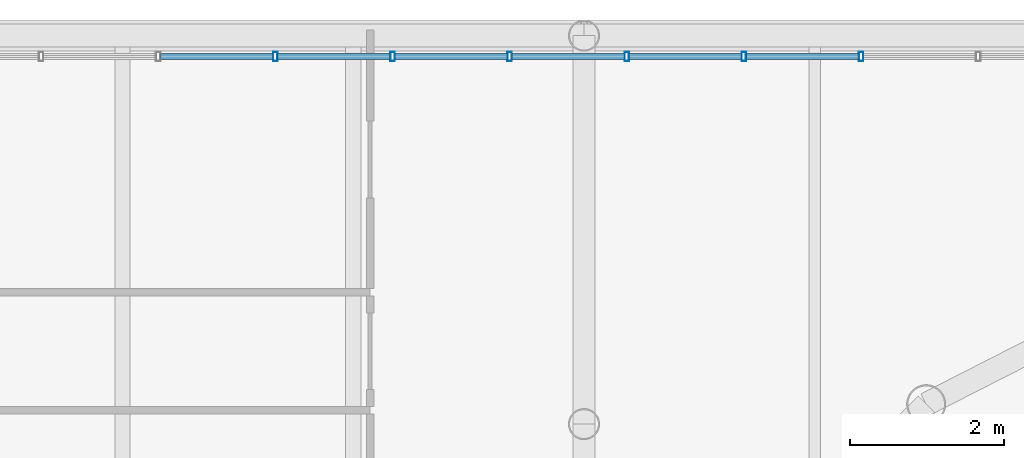
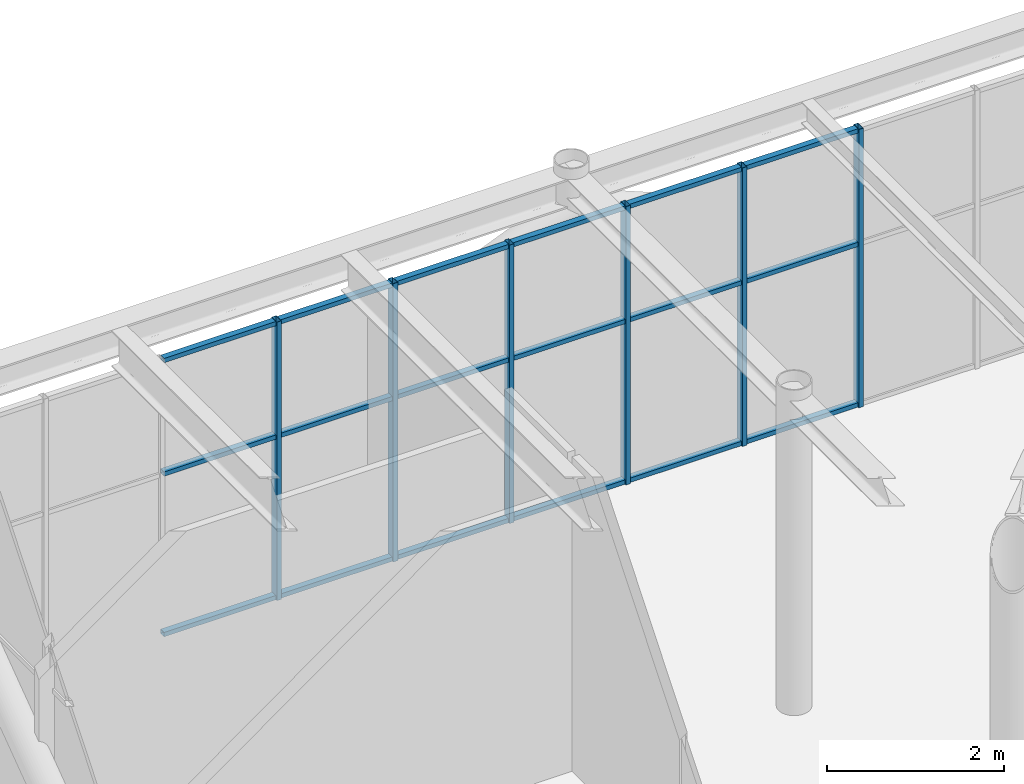
# One storey, part 60 of 149: 24 members, 1 element without a shape of its own.
"""IFC4 building model written with IfcOpenShell, lengths in metres."""

from ifc_helpers import new_model, si_unit, direction, frame, origin, origin_2d, place, context, subcontext, project, spatial, hollow_rectangle, extrude, material, layer, layer_set, material_profile, profile_set, type_object, element, aggregate, save


model = new_model("IFC4")

# Units and contexts
model_context = context("Model", 3, precision=1e-05, world=origin(), true_north=direction((0.0, 1.0)))
body_context = subcontext(model_context, "Body", "Model", "MODEL_VIEW")
ifc_project = project(units=[si_unit("LENGTHUNIT", "METRE"), si_unit("AREAUNIT", "SQUARE_METRE"), si_unit("VOLUMEUNIT", "CUBIC_METRE"), si_unit("PLANEANGLEUNIT", "RADIAN"), si_unit("MASSUNIT", "GRAM", prefix="KILO")], contexts=[model_context])

# Site, building, storey
site_placement = place(None, origin())
site = spatial("IfcSite", under=ifc_project, at=site_placement, CompositionType="ELEMENT")
building_placement = place(site_placement, origin())
building = spatial("IfcBuilding", under=site, at=building_placement, Name="Kallimachos Central Library", CompositionType="ELEMENT")
storey_placement = place(building_placement, frame((0.0, 0.0, 9.89990234375)))
storey = spatial("IfcBuildingStorey", under=building, at=storey_placement, Name="L02", CompositionType="ELEMENT", Elevation=9.89990234375)

# Curtain wall, members
ifc_material_1 = material(Name="Anodised aluminium and laminated glass", Category="aluminium")
ifc_layer = layer(ifc_material_1, 0.159912109375)
ifc_layer_set = layer_set([ifc_layer], Name="Glass box curtain wall")
curtain_wall_type = type_object("IfcCurtainWallType", Name="Glass box curtain wall", PredefinedType="NOTDEFINED", material=ifc_layer_set)
curtain_wall_placement = place(storey_placement, origin())
curtain_wall = element("IfcCurtainWall", 1, at=curtain_wall_placement, inside=storey, type_object=curtain_wall_type, Name="Glass box curtain wall N L02", PredefinedType="NOTDEFINED")
ifc_material_2 = material(Name="Anodised aluminium", Category="aluminium")
ifc_material_profile_1 = material_profile(ifc_material_2, hollow_rectangle(XDim=0.06005859375, YDim=0.1201171875, WallThickness=0.00390625, at=origin_2d()), Name="ALU MULLION 60x120")
ifc_profile_set_1 = profile_set([ifc_material_profile_1], Name="Anodised aluminium")
member_type_1 = type_object("IfcMemberType", Name="Glass box mullion 60x120", PredefinedType="MULLION", material=ifc_profile_set_1)
member_1_placement = place(storey_placement, frame((70.48828125, 121.3798828125, 0.0), z_axis=(0.0, 0.0, 1.0), x_axis=(1.0, 0.0, 0.0)))
member_1 = element("IfcMember", 2, at=member_1_placement, type_object=member_type_1, Name="CW20 mullion 4", PredefinedType="MULLION", context=body_context, shape_type="SweptSolid", body=[
    extrude(hollow_rectangle(XDim=0.06005859375, YDim=0.1201171875, WallThickness=0.00390625, at=origin_2d()), origin(), (0.0, 0.0, 1.0), 3.85009765625),
])
member_2_placement = place(storey_placement, frame((72.010986328125, 121.3798828125, 0.0), z_axis=(0.0, 0.0, 1.0), x_axis=(1.0, 0.0, 0.0)))
member_2 = element("IfcMember", 3, at=member_2_placement, type_object=member_type_1, Name="CW20 mullion 5", PredefinedType="MULLION", context=body_context, shape_type="SweptSolid", body=[
    extrude(hollow_rectangle(XDim=0.06005859375, YDim=0.1201171875, WallThickness=0.00390625, at=origin_2d()), origin(), (0.0, 0.0, 1.0), 3.85009765625),
])
member_3_placement = place(storey_placement, frame((73.53369140625, 121.3798828125, 0.0), z_axis=(0.0, 0.0, 1.0), x_axis=(1.0, 0.0, 0.0)))
member_3 = element("IfcMember", 4, at=member_3_placement, type_object=member_type_1, Name="CW20 mullion 6", PredefinedType="MULLION", context=body_context, shape_type="SweptSolid", body=[
    extrude(hollow_rectangle(XDim=0.06005859375, YDim=0.1201171875, WallThickness=0.00390625, at=origin_2d()), origin(), (0.0, 0.0, 1.0), 3.85009765625),
])
member_4_placement = place(storey_placement, frame((75.056640625, 121.3798828125, 0.0), z_axis=(0.0, 0.0, 1.0), x_axis=(1.0, 0.0, 0.0)))
member_4 = element("IfcMember", 5, at=member_4_placement, type_object=member_type_1, Name="CW20 mullion 7", PredefinedType="MULLION", context=body_context, shape_type="SweptSolid", body=[
    extrude(hollow_rectangle(XDim=0.06005859375, YDim=0.1201171875, WallThickness=0.00390625, at=origin_2d()), origin(), (0.0, 0.0, 1.0), 3.85009765625),
])
member_5_placement = place(storey_placement, frame((76.579345703125, 121.3798828125, 0.0), z_axis=(0.0, 0.0, 1.0), x_axis=(1.0, 0.0, 0.0)))
member_5 = element("IfcMember", 6, at=member_5_placement, type_object=member_type_1, Name="CW20 mullion 8", PredefinedType="MULLION", context=body_context, shape_type="SweptSolid", body=[
    extrude(hollow_rectangle(XDim=0.06005859375, YDim=0.1201171875, WallThickness=0.00390625, at=origin_2d()), origin(), (0.0, 0.0, 1.0), 3.85009765625),
])
member_6_placement = place(storey_placement, frame((78.10205078125, 121.3798828125, 0.0), z_axis=(0.0, 0.0, 1.0), x_axis=(1.0, 0.0, 0.0)))
member_6 = element("IfcMember", 7, at=member_6_placement, type_object=member_type_1, Name="CW20 mullion 9", PredefinedType="MULLION", context=body_context, shape_type="SweptSolid", body=[
    extrude(hollow_rectangle(XDim=0.06005859375, YDim=0.1201171875, WallThickness=0.00390625, at=origin_2d()), origin(), (0.0, 0.0, 1.0), 3.85009765625),
])
ifc_material_3 = material(Name="Anodised aluminium", Category="aluminium")
ifc_material_profile_2 = material_profile(ifc_material_3, hollow_rectangle(XDim=0.06005859375, YDim=0.080078125, WallThickness=0.00390625, at=origin_2d()), Name="ALU TRANSOM 60x80")
ifc_profile_set_2 = profile_set([ifc_material_profile_2], Name="Anodised aluminium")
member_type_2 = type_object("IfcMemberType", Name="Glass box transom 60x80", PredefinedType="USERDEFINED", material=ifc_profile_set_2)
member_7_placement = place(storey_placement, frame((68.99560546875, 121.3798828125, 0.030029296875), z_axis=(1.0, 0.0, 0.0), x_axis=(0.0, 0.0, 1.0)))
member_7 = element("IfcMember", 8, at=member_7_placement, type_object=member_type_2, Name="CW20 transom 3.1", ObjectType="TRANSOM", PredefinedType="USERDEFINED", context=body_context, shape_type="SweptSolid", body=[
    extrude(hollow_rectangle(XDim=0.06005859375, YDim=0.080078125, WallThickness=0.00390625, at=origin_2d()), origin(), (0.0, 0.0, 1.0), 1.462646484375),
])
member_8_placement = place(storey_placement, frame((68.99560546875, 121.3798828125, 2.25), z_axis=(1.0, 0.0, 0.0), x_axis=(0.0, 0.0, 1.0)))
member_8 = element("IfcMember", 9, at=member_8_placement, type_object=member_type_2, Name="CW20 transom 3.2", ObjectType="TRANSOM", PredefinedType="USERDEFINED", context=body_context, shape_type="SweptSolid", body=[
    extrude(hollow_rectangle(XDim=0.06005859375, YDim=0.080078125, WallThickness=0.00390625, at=origin_2d()), origin(), (0.0, 0.0, 1.0), 1.462646484375),
])
member_9_placement = place(storey_placement, frame((68.99560546875, 121.3798828125, 3.820068359375), z_axis=(1.0, 0.0, 0.0), x_axis=(0.0, 0.0, 1.0)))
member_9 = element("IfcMember", 10, at=member_9_placement, type_object=member_type_2, Name="CW20 transom 3.3", ObjectType="TRANSOM", PredefinedType="USERDEFINED", context=body_context, shape_type="SweptSolid", body=[
    extrude(hollow_rectangle(XDim=0.06005859375, YDim=0.080078125, WallThickness=0.00390625, at=origin_2d()), origin(), (0.0, 0.0, 1.0), 1.462646484375),
])
member_10_placement = place(storey_placement, frame((70.518310546875, 121.3798828125, 0.030029296875), z_axis=(1.0, 0.0, 0.0), x_axis=(0.0, 0.0, 1.0)))
member_10 = element("IfcMember", 11, at=member_10_placement, type_object=member_type_2, Name="CW20 transom 4.1", ObjectType="TRANSOM", PredefinedType="USERDEFINED", context=body_context, shape_type="SweptSolid", body=[
    extrude(hollow_rectangle(XDim=0.06005859375, YDim=0.080078125, WallThickness=0.00390625, at=origin_2d()), origin(), (0.0, 0.0, 1.0), 1.462646484375),
])
member_11_placement = place(storey_placement, frame((70.518310546875, 121.3798828125, 2.25), z_axis=(1.0, 0.0, 0.0), x_axis=(0.0, 0.0, 1.0)))
member_11 = element("IfcMember", 12, at=member_11_placement, type_object=member_type_2, Name="CW20 transom 4.2", ObjectType="TRANSOM", PredefinedType="USERDEFINED", context=body_context, shape_type="SweptSolid", body=[
    extrude(hollow_rectangle(XDim=0.06005859375, YDim=0.080078125, WallThickness=0.00390625, at=origin_2d()), origin(), (0.0, 0.0, 1.0), 1.462646484375),
])
member_12_placement = place(storey_placement, frame((70.518310546875, 121.3798828125, 3.820068359375), z_axis=(1.0, 0.0, 0.0), x_axis=(0.0, 0.0, 1.0)))
member_12 = element("IfcMember", 13, at=member_12_placement, type_object=member_type_2, Name="CW20 transom 4.3", ObjectType="TRANSOM", PredefinedType="USERDEFINED", context=body_context, shape_type="SweptSolid", body=[
    extrude(hollow_rectangle(XDim=0.06005859375, YDim=0.080078125, WallThickness=0.00390625, at=origin_2d()), origin(), (0.0, 0.0, 1.0), 1.462646484375),
])
member_13_placement = place(storey_placement, frame((72.041015625, 121.3798828125, 0.030029296875), z_axis=(1.0, 0.0, 0.0), x_axis=(0.0, 0.0, 1.0)))
member_13 = element("IfcMember", 14, at=member_13_placement, type_object=member_type_2, Name="CW20 transom 5.1", ObjectType="TRANSOM", PredefinedType="USERDEFINED", context=body_context, shape_type="SweptSolid", body=[
    extrude(hollow_rectangle(XDim=0.06005859375, YDim=0.080078125, WallThickness=0.00390625, at=origin_2d()), origin(), (0.0, 0.0, 1.0), 1.462890625),
])
member_14_placement = place(storey_placement, frame((72.041015625, 121.3798828125, 2.25), z_axis=(1.0, 0.0, 0.0), x_axis=(0.0, 0.0, 1.0)))
member_14 = element("IfcMember", 15, at=member_14_placement, type_object=member_type_2, Name="CW20 transom 5.2", ObjectType="TRANSOM", PredefinedType="USERDEFINED", context=body_context, shape_type="SweptSolid", body=[
    extrude(hollow_rectangle(XDim=0.06005859375, YDim=0.080078125, WallThickness=0.00390625, at=origin_2d()), origin(), (0.0, 0.0, 1.0), 1.462890625),
])
member_15_placement = place(storey_placement, frame((72.041015625, 121.3798828125, 3.820068359375), z_axis=(1.0, 0.0, 0.0), x_axis=(0.0, 0.0, 1.0)))
member_15 = element("IfcMember", 16, at=member_15_placement, type_object=member_type_2, Name="CW20 transom 5.3", ObjectType="TRANSOM", PredefinedType="USERDEFINED", context=body_context, shape_type="SweptSolid", body=[
    extrude(hollow_rectangle(XDim=0.06005859375, YDim=0.080078125, WallThickness=0.00390625, at=origin_2d()), origin(), (0.0, 0.0, 1.0), 1.462890625),
])
member_16_placement = place(storey_placement, frame((73.563720703125, 121.3798828125, 0.030029296875), z_axis=(1.0, 0.0, 0.0), x_axis=(0.0, 0.0, 1.0)))
member_16 = element("IfcMember", 17, at=member_16_placement, type_object=member_type_2, Name="CW20 transom 6.1", ObjectType="TRANSOM", PredefinedType="USERDEFINED", context=body_context, shape_type="SweptSolid", body=[
    extrude(hollow_rectangle(XDim=0.06005859375, YDim=0.080078125, WallThickness=0.00390625, at=origin_2d()), origin(), (0.0, 0.0, 1.0), 1.462890625),
])
member_17_placement = place(storey_placement, frame((73.563720703125, 121.3798828125, 2.25), z_axis=(1.0, 0.0, 0.0), x_axis=(0.0, 0.0, 1.0)))
member_17 = element("IfcMember", 18, at=member_17_placement, type_object=member_type_2, Name="CW20 transom 6.2", ObjectType="TRANSOM", PredefinedType="USERDEFINED", context=body_context, shape_type="SweptSolid", body=[
    extrude(hollow_rectangle(XDim=0.06005859375, YDim=0.080078125, WallThickness=0.00390625, at=origin_2d()), origin(), (0.0, 0.0, 1.0), 1.462890625),
])
member_18_placement = place(storey_placement, frame((73.563720703125, 121.3798828125, 3.820068359375), z_axis=(1.0, 0.0, 0.0), x_axis=(0.0, 0.0, 1.0)))
member_18 = element("IfcMember", 19, at=member_18_placement, type_object=member_type_2, Name="CW20 transom 6.3", ObjectType="TRANSOM", PredefinedType="USERDEFINED", context=body_context, shape_type="SweptSolid", body=[
    extrude(hollow_rectangle(XDim=0.06005859375, YDim=0.080078125, WallThickness=0.00390625, at=origin_2d()), origin(), (0.0, 0.0, 1.0), 1.462890625),
])
member_19_placement = place(storey_placement, frame((75.086669921875, 121.3798828125, 0.030029296875), z_axis=(1.0, 0.0, 0.0), x_axis=(0.0, 0.0, 1.0)))
member_19 = element("IfcMember", 20, at=member_19_placement, type_object=member_type_2, Name="CW20 transom 7.1", ObjectType="TRANSOM", PredefinedType="USERDEFINED", context=body_context, shape_type="SweptSolid", body=[
    extrude(hollow_rectangle(XDim=0.06005859375, YDim=0.080078125, WallThickness=0.00390625, at=origin_2d()), origin(), (0.0, 0.0, 1.0), 1.462646484375),
])
member_20_placement = place(storey_placement, frame((75.086669921875, 121.3798828125, 2.25), z_axis=(1.0, 0.0, 0.0), x_axis=(0.0, 0.0, 1.0)))
member_20 = element("IfcMember", 21, at=member_20_placement, type_object=member_type_2, Name="CW20 transom 7.2", ObjectType="TRANSOM", PredefinedType="USERDEFINED", context=body_context, shape_type="SweptSolid", body=[
    extrude(hollow_rectangle(XDim=0.06005859375, YDim=0.080078125, WallThickness=0.00390625, at=origin_2d()), origin(), (0.0, 0.0, 1.0), 1.462646484375),
])
member_21_placement = place(storey_placement, frame((75.086669921875, 121.3798828125, 3.820068359375), z_axis=(1.0, 0.0, 0.0), x_axis=(0.0, 0.0, 1.0)))
member_21 = element("IfcMember", 22, at=member_21_placement, type_object=member_type_2, Name="CW20 transom 7.3", ObjectType="TRANSOM", PredefinedType="USERDEFINED", context=body_context, shape_type="SweptSolid", body=[
    extrude(hollow_rectangle(XDim=0.06005859375, YDim=0.080078125, WallThickness=0.00390625, at=origin_2d()), origin(), (0.0, 0.0, 1.0), 1.462646484375),
])
member_22_placement = place(storey_placement, frame((76.609375, 121.3798828125, 0.030029296875), z_axis=(1.0, 0.0, 0.0), x_axis=(0.0, 0.0, 1.0)))
member_22 = element("IfcMember", 23, at=member_22_placement, type_object=member_type_2, Name="CW20 transom 8.1", ObjectType="TRANSOM", PredefinedType="USERDEFINED", context=body_context, shape_type="SweptSolid", body=[
    extrude(hollow_rectangle(XDim=0.06005859375, YDim=0.080078125, WallThickness=0.00390625, at=origin_2d()), origin(), (0.0, 0.0, 1.0), 1.462646484375),
])
member_23_placement = place(storey_placement, frame((76.609375, 121.3798828125, 2.25), z_axis=(1.0, 0.0, 0.0), x_axis=(0.0, 0.0, 1.0)))
member_23 = element("IfcMember", 24, at=member_23_placement, type_object=member_type_2, Name="CW20 transom 8.2", ObjectType="TRANSOM", PredefinedType="USERDEFINED", context=body_context, shape_type="SweptSolid", body=[
    extrude(hollow_rectangle(XDim=0.06005859375, YDim=0.080078125, WallThickness=0.00390625, at=origin_2d()), origin(), (0.0, 0.0, 1.0), 1.462646484375),
])
member_24_placement = place(storey_placement, frame((76.609375, 121.3798828125, 3.820068359375), z_axis=(1.0, 0.0, 0.0), x_axis=(0.0, 0.0, 1.0)))
member_24 = element("IfcMember", 25, at=member_24_placement, type_object=member_type_2, Name="CW20 transom 8.3", ObjectType="TRANSOM", PredefinedType="USERDEFINED", context=body_context, shape_type="SweptSolid", body=[
    extrude(hollow_rectangle(XDim=0.06005859375, YDim=0.080078125, WallThickness=0.00390625, at=origin_2d()), origin(), (0.0, 0.0, 1.0), 1.462646484375),
])
aggregate(curtain_wall, [member_1, member_2, member_3, member_4, member_5, member_6, member_7, member_8, member_9, member_10, member_11, member_12, member_13, member_14, member_15, member_16, member_17, member_18, member_19, member_20, member_21, member_22, member_23, member_24])

save(model, "model.ifc")
